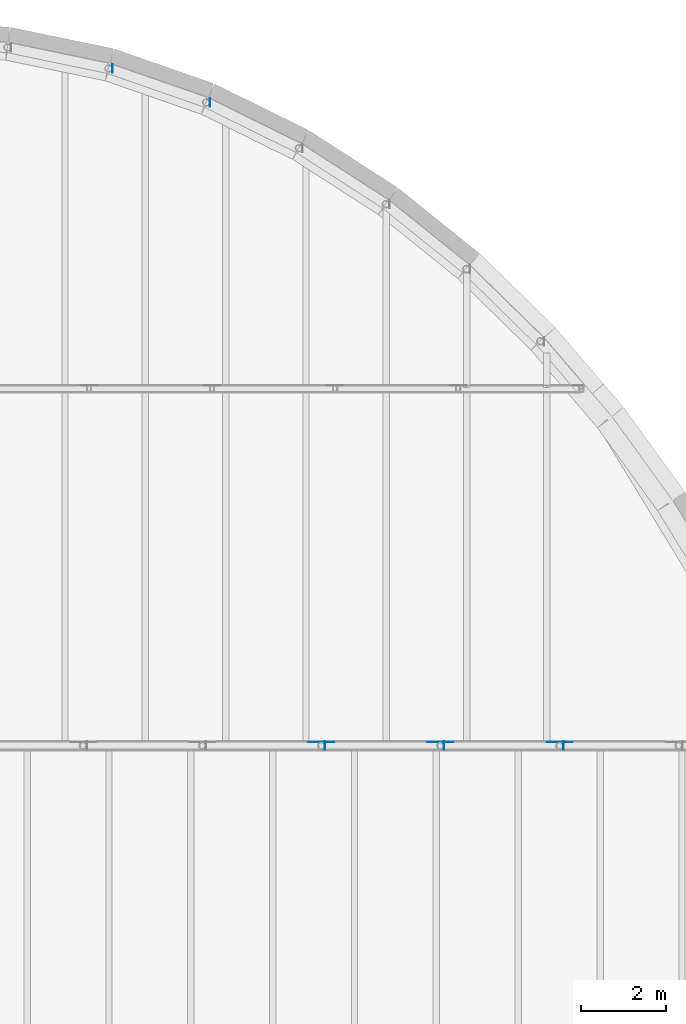
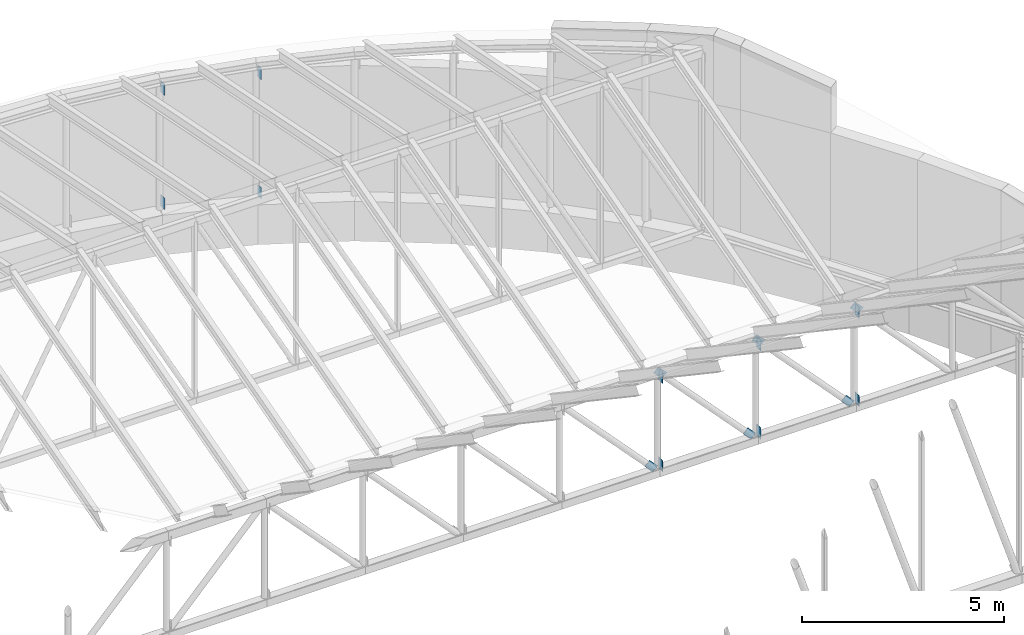
# One storey, part 65 of 68: 16 discrete accessories.
"""IFC4 building model written with IfcOpenShell, lengths in metres."""

from ifc_helpers import new_model, si_unit, direction, frame, origin, origin_2d, place, context, subcontext, project, spatial, rectangle, extrude, material, material_profile, profile_set, type_object, element, save


model = new_model("IFC4")

# Units and contexts
model_context = context("Model", 3, precision=1e-05, world=origin(), true_north=direction((0.0, 1.0)))
body_context = subcontext(model_context, "Body", "Model", "MODEL_VIEW")
ifc_project = project(units=[si_unit("LENGTHUNIT", "METRE"), si_unit("AREAUNIT", "SQUARE_METRE"), si_unit("VOLUMEUNIT", "CUBIC_METRE"), si_unit("PLANEANGLEUNIT", "RADIAN"), si_unit("MASSUNIT", "GRAM", prefix="KILO")], contexts=[model_context])

# Site, building, storey
site_placement = place(None, origin())
site = spatial("IfcSite", under=ifc_project, at=site_placement, CompositionType="ELEMENT")
building_placement = place(site_placement, origin())
building = spatial("IfcBuilding", under=site, at=building_placement, Name="Larchfold Concert Hall", CompositionType="ELEMENT")
storey_placement = place(building_placement, frame((0.0, 0.0, 28.800048828125)))
storey = spatial("IfcBuildingStorey", under=building, at=storey_placement, Name="L06", CompositionType="ELEMENT", Elevation=28.800048828125)

# Discrete accessories
ifc_material = material(Name="Steel S355 galvanised bracket", Category="steel")
ifc_material_profile = material_profile(ifc_material, rectangle(XDim=0.011962890625, YDim=0.199951171875, at=origin_2d()))
ifc_profile_set = profile_set([ifc_material_profile], Name="Steel S355 galvanised bracket")
discrete_accessory_type = type_object("IfcDiscreteAccessoryType", Name="Gusset plate 12x200", PredefinedType="BRACKET", material=ifc_profile_set)
for number, where, z_axis, x_axis, name in (
    (1, (52.504150390625, 102.0, 3.0), (0.0, 0.0, -1.0), (1.0, 0.0, 0.0), "Gusset plate GP0467"),
    (2, (52.504150390625, 102.0, 0.336669921875), (0.0, 0.0, -1.0), (1.0, 0.0, 0.0), "Gusset plate GP0468"),
    (3, (55.30810546875, 102.0, 3.0), (0.0, 0.0, -1.0), (1.0, 0.0, 0.0), "Gusset plate GP0469"),
    (4, (55.30810546875, 102.0, 0.336669921875), (0.0, 0.0, -1.0), (1.0, 0.0, 0.0), "Gusset plate GP0470"),
    (5, (58.112060546875, 102.0, 3.0), (0.0, 0.0, -1.0), (1.0, 0.0, 0.0), "Gusset plate GP0471"),
    (6, (58.112060546875, 102.0, 0.336669921875), (0.0, 0.0, -1.0), (1.0, 0.0, 0.0), "Gusset plate GP0472"),
):
    element("IfcDiscreteAccessory", number, at=place(storey_placement, frame(where, z_axis=z_axis, x_axis=x_axis)), inside=storey, type_object=discrete_accessory_type, Name=name, PredefinedType="BRACKET", context=body_context, shape_type="SweptSolid", body=[
        extrude(rectangle(XDim=0.011962890625, YDim=0.199951171875, at=origin_2d()), origin(), (0.0, 0.0, 1.0), 0.336669921875),
    ])
for number, where, z_axis, x_axis, name in (
    (7, (52.170654296875, 102.090087890625, 0.260498046875), (0.682757602912, 0.0, -0.730644958695), (0.0, 1.0, 0.0), "Gusset plate GP0498"),
    (8, (52.427734375, 102.090087890625, 2.9853515625), (0.682757602912, 0.0, -0.730644958695), (0.0, 1.0, 0.0), "Gusset plate GP0499"),
    (9, (54.974609375, 102.090087890625, 0.260498046875), (0.682757602912, 0.0, -0.730644958695), (0.0, 1.0, 0.0), "Gusset plate GP0500"),
    (10, (55.231689453125, 102.090087890625, 2.9853515625), (0.682757602912, 0.0, -0.730644958695), (0.0, 1.0, 0.0), "Gusset plate GP0501"),
    (11, (57.778564453125, 102.090087890625, 0.260498046875), (0.682757602912, 0.0, -0.730644958695), (0.0, 1.0, 0.0), "Gusset plate GP0502"),
    (12, (58.03564453125, 102.090087890625, 2.9853515625), (0.682757602912, 0.0, -0.730644958695), (0.0, 1.0, 0.0), "Gusset plate GP0503"),
):
    element("IfcDiscreteAccessory", number, at=place(storey_placement, frame(where, z_axis=z_axis, x_axis=x_axis)), inside=storey, type_object=discrete_accessory_type, Name=name, PredefinedType="BRACKET", context=body_context, shape_type="SweptSolid", body=[
        extrude(rectangle(XDim=0.011962890625, YDim=0.199951171875, at=origin_2d()), origin(), (0.0, 0.0, 1.0), 0.33642578125),
    ])
for number, where, z_axis, x_axis, name in (
    (13, (49.795654296875, 117.138916015625, 0.0), (0.0, 0.0, 1.0), (1.0, 0.0, 0.0), "Gusset plate GP0637"),
    (14, (49.795654296875, 117.138916015625, 3.596923828125), (0.0, 0.0, 1.0), (1.0, 0.0, 0.0), "Gusset plate GP0638"),
    (15, (47.498291015625, 117.93896484375, 0.0), (0.0, 0.0, 1.0), (1.0, 0.0, 0.0), "Gusset plate GP0639"),
    (16, (47.498291015625, 117.93896484375, 3.43701171875), (0.0, 0.0, 1.0), (1.0, 0.0, 0.0), "Gusset plate GP0640"),
):
    element("IfcDiscreteAccessory", number, at=place(storey_placement, frame(where, z_axis=z_axis, x_axis=x_axis)), inside=storey, type_object=discrete_accessory_type, Name=name, PredefinedType="BRACKET", context=body_context, shape_type="SweptSolid", body=[
        extrude(rectangle(XDim=0.011962890625, YDim=0.199951171875, at=origin_2d()), origin(), (0.0, 0.0, 1.0), 0.336669921875),
    ])

save(model, "model.ifc")
